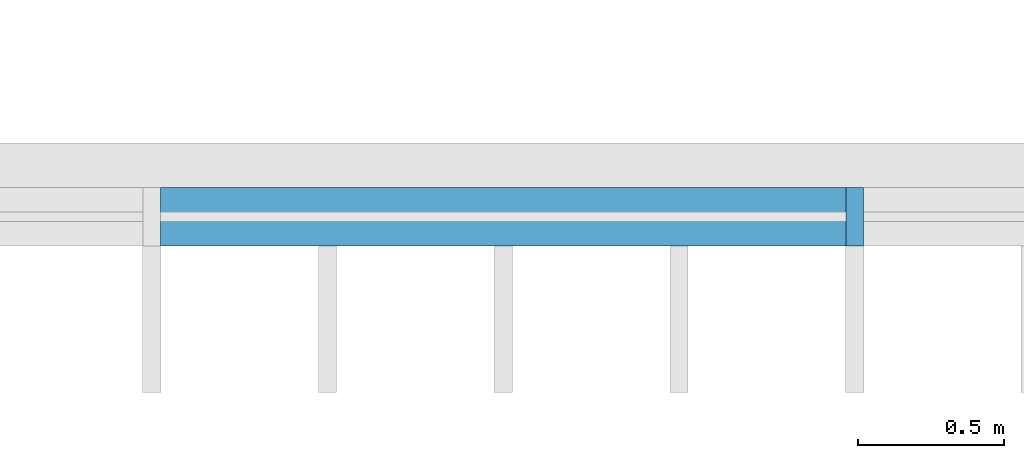
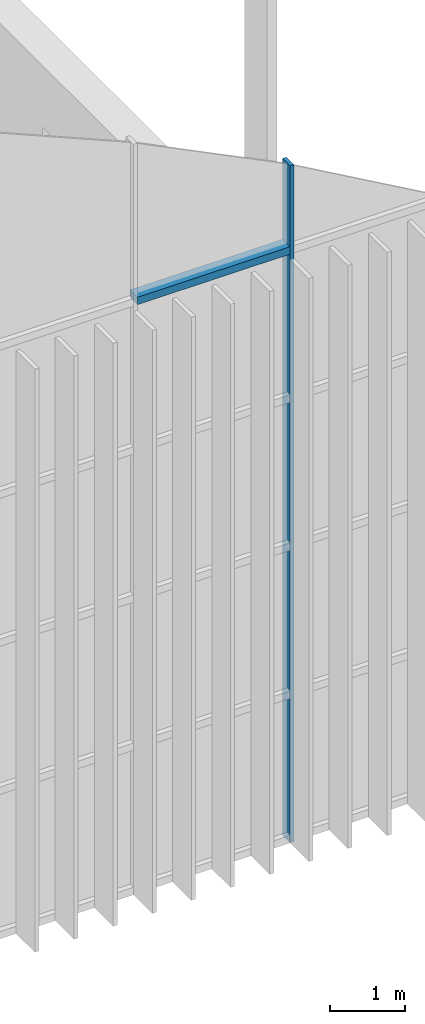
# One storey, part 45 of 169: 2 members, 1 element without a shape of its own.
"""IFC4 building model written with IfcOpenShell, lengths in metres."""

from ifc_helpers import new_model, si_unit, direction, frame, origin, origin_2d, place, context, subcontext, project, spatial, rectangle, extrude, material, layer, layer_set, material_profile, profile_set, type_object, element, aggregate, save


model = new_model("IFC4")

# Units and contexts
model_context = context("Model", 3, precision=1e-05, world=origin(), true_north=direction((0.0, 1.0)))
body_context = subcontext(model_context, "Body", "Model", "MODEL_VIEW")
ifc_project = project(units=[si_unit("LENGTHUNIT", "METRE"), si_unit("AREAUNIT", "SQUARE_METRE"), si_unit("VOLUMEUNIT", "CUBIC_METRE"), si_unit("PLANEANGLEUNIT", "RADIAN"), si_unit("MASSUNIT", "GRAM", prefix="KILO")], contexts=[model_context])

# Site, building, storey
site_placement = place(None, origin())
site = spatial("IfcSite", under=ifc_project, at=site_placement, CompositionType="ELEMENT")
building_placement = place(site_placement, origin())
building = spatial("IfcBuilding", under=site, at=building_placement, Name="Verrick Yard Athletic Hall", CompositionType="ELEMENT")
storey_placement = place(building_placement, frame((0.0, 0.0, 4.39990234375)))
storey = spatial("IfcBuildingStorey", under=building, at=storey_placement, Name="L01", CompositionType="ELEMENT", Elevation=4.39990234375)

# Curtain wall, members
ifc_material = material(Name="Anodised aluminium", Category="aluminium")
ifc_layer = layer(ifc_material, 0.199951171875)
ifc_layer_set = layer_set([ifc_layer], Name="Gable glazing")
curtain_wall_type = type_object("IfcCurtainWallType", Name="Gable glazing", PredefinedType="NOTDEFINED", material=ifc_layer_set)
curtain_wall_placement = place(storey_placement, origin())
curtain_wall = element("IfcCurtainWall", 1, at=curtain_wall_placement, inside=storey, type_object=curtain_wall_type, Name="Gable curtain wall BS", PredefinedType="NOTDEFINED")
ifc_material_profile_1 = material_profile(ifc_material, rectangle(XDim=0.199951171875, YDim=0.06005859375, at=origin_2d()), Name="CW gable mullion 60x200")
ifc_profile_set_1 = profile_set([ifc_material_profile_1], Name="Anodised aluminium")
member_type_1 = type_object("IfcMemberType", Name="Gable glazing mullion 60x200", PredefinedType="MULLION", material=ifc_profile_set_1)
member_1_placement = place(storey_placement, frame((73.60009765625, 72.318359375, 0.0), z_axis=(0.0, 0.0, 1.0), x_axis=(0.0, 1.0, 0.0)))
member_1 = element("IfcMember", 2, at=member_1_placement, type_object=member_type_1, Name="ENVB-HBS-CW/M19", PredefinedType="MULLION", context=body_context, shape_type="SweptSolid", body=[
    extrude(rectangle(XDim=0.199951171875, YDim=0.06005859375, at=origin_2d()), origin(), (0.0, 0.0, 1.0), 10.970458984375),
])
ifc_material_profile_2 = material_profile(ifc_material, rectangle(XDim=0.199951171875, YDim=0.1201171875, at=origin_2d()), Name="CW gable transom 200x120")
ifc_profile_set_2 = profile_set([ifc_material_profile_2], Name="Anodised aluminium")
member_type_2 = type_object("IfcMemberType", Name="Gable glazing transom 200x120", PredefinedType="USERDEFINED", material=ifc_profile_set_2)
member_2_placement = place(storey_placement, frame((71.22998046875, 72.318359375, 9.60009765625), z_axis=(1.0, 0.0, 0.0), x_axis=(0.0, 1.0, 0.0)))
member_2 = element("IfcMember", 3, at=member_2_placement, type_object=member_type_2, Name="ENVB-HBS-CW/T18-04", ObjectType="TRANSOM", PredefinedType="USERDEFINED", context=body_context, shape_type="SweptSolid", body=[
    extrude(rectangle(XDim=0.199951171875, YDim=0.1201171875, at=origin_2d()), origin(), (0.0, 0.0, 1.0), 2.340087890625),
])
aggregate(curtain_wall, [member_1, member_2])

save(model, "model.ifc")
